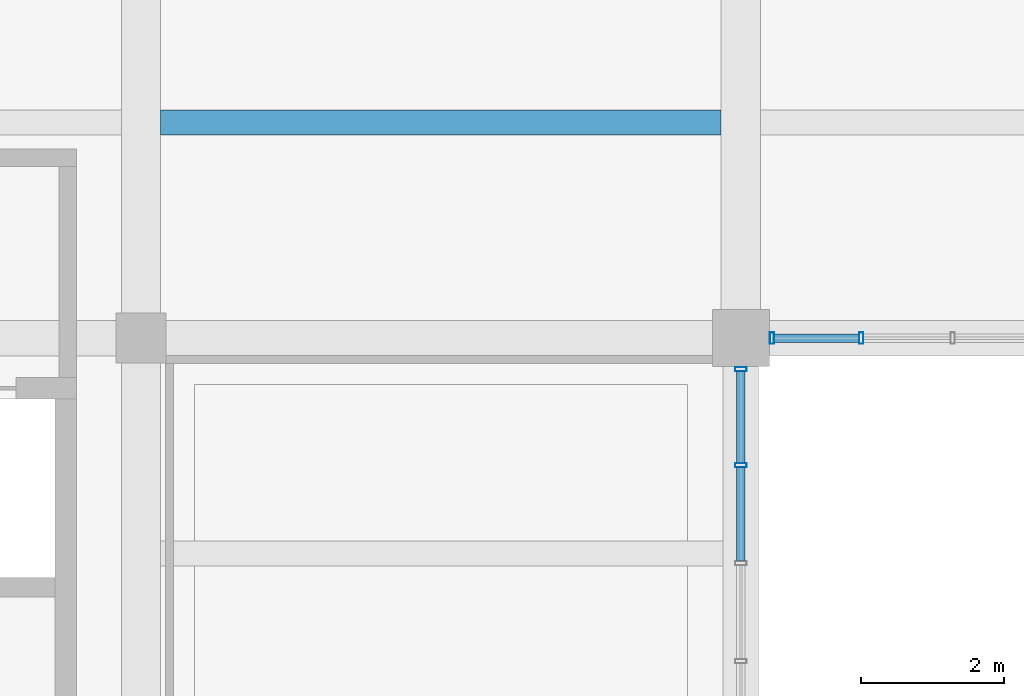
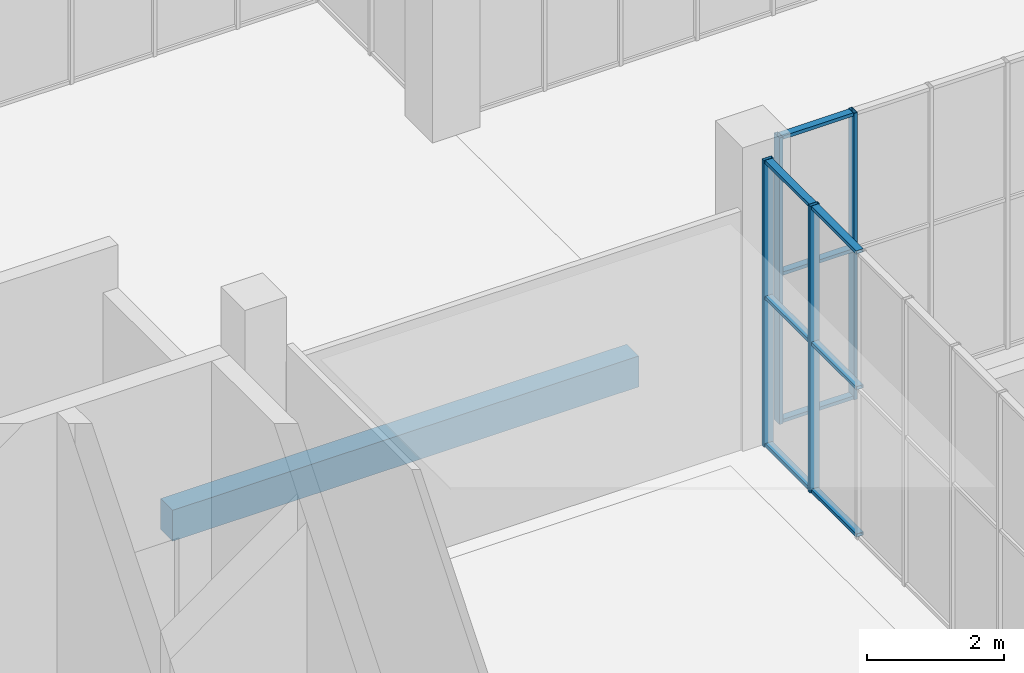
# One storey, part 36 of 132: 13 members, 1 beam, 2 elements without a shape of their own.
"""IFC4 building model written with IfcOpenShell, lengths in metres."""

from ifc_helpers import new_model, si_unit, direction, frame, origin, origin_2d, place, context, subcontext, project, spatial, rectangle, hollow_rectangle, extrude, material, material_profile, profile_set, type_object, element, aggregate, save


model = new_model("IFC4")

# Units and contexts
model_context = context("Model", 3, precision=1e-05, world=origin(), true_north=direction((0.0, 1.0)))
body_context = subcontext(model_context, "Body", "Model", "MODEL_VIEW")
ifc_project = project(units=[si_unit("LENGTHUNIT", "METRE"), si_unit("AREAUNIT", "SQUARE_METRE"), si_unit("VOLUMEUNIT", "CUBIC_METRE"), si_unit("PLANEANGLEUNIT", "RADIAN"), si_unit("MASSUNIT", "GRAM", prefix="KILO")], contexts=[model_context])

# Site, building, storey
site_placement = place(None, origin())
site = spatial("IfcSite", under=ifc_project, at=site_placement, CompositionType="ELEMENT")
building_placement = place(site_placement, origin())
building = spatial("IfcBuilding", under=site, at=building_placement, Name="Khurvash Pelagic Aquarium", CompositionType="ELEMENT")
storey_placement = place(building_placement, frame((0.0, 0.0, 5.39990234375)))
storey = spatial("IfcBuildingStorey", under=building, at=storey_placement, Name="L01", CompositionType="ELEMENT", Elevation=5.39990234375)

# Curtain wall, members
ifc_material_1 = material(Name="Anodised aluminium and low-E laminated glass", Category="aluminium")
curtain_wall_type_1 = type_object("IfcCurtainWallType", Name="CW-06", PredefinedType="USERDEFINED", material=ifc_material_1)
curtain_wall_1_placement = place(storey_placement, origin())
curtain_wall_1 = element("IfcCurtainWall", 1, at=curtain_wall_1_placement, inside=storey, type_object=curtain_wall_type_1, Name="L01 Facade Unitised Curtain Wall CW-06 0108", ObjectType="UNITISED CURTAIN WALL", PredefinedType="USERDEFINED")
ifc_material_2 = material(Name="Extruded aluminium AW-6063-T6", Category="aluminium")
ifc_material_profile_1 = material_profile(ifc_material_2, hollow_rectangle(XDim=0.06005859375, YDim=0.159912109375, WallThickness=0.00390625, at=origin_2d()), Name="CWM60X160X4")
ifc_profile_set_1 = profile_set([ifc_material_profile_1], Name="Extruded aluminium AW-6063-T6")
member_type_1 = type_object("IfcMemberType", Name="CM-02", PredefinedType="MULLION", material=ifc_profile_set_1)
member_1_placement = place(storey_placement, frame((109.199951171875, 18.921630859375, 0.0), z_axis=(0.0, 0.0, 1.0), x_axis=(0.0, 1.0, 0.0)))
member_1 = element("IfcMember", 2, at=member_1_placement, type_object=member_type_1, Name="CW-06 mullion 6", PredefinedType="MULLION", context=body_context, shape_type="SweptSolid", body=[
    extrude(hollow_rectangle(XDim=0.06005859375, YDim=0.159912109375, WallThickness=0.00390625, at=origin_2d()), origin(), (0.0, 0.0, 1.0), 5.10009765625),
])
member_2_placement = place(storey_placement, frame((109.199951171875, 20.264892578125, 0.0), z_axis=(0.0, 0.0, 1.0), x_axis=(0.0, 1.0, 0.0)))
member_2 = element("IfcMember", 3, at=member_2_placement, type_object=member_type_1, Name="CW-06 mullion 7", PredefinedType="MULLION", context=body_context, shape_type="SweptSolid", body=[
    extrude(hollow_rectangle(XDim=0.06005859375, YDim=0.159912109375, WallThickness=0.00390625, at=origin_2d()), origin(), (0.0, 0.0, 1.0), 5.10009765625),
])

curtain_wall_type_2 = type_object("IfcCurtainWallType", Name="CW-05", PredefinedType="USERDEFINED", material=ifc_material_1)
curtain_wall_2_placement = place(storey_placement, origin())
curtain_wall_2 = element("IfcCurtainWall", 4, at=curtain_wall_2_placement, inside=storey, type_object=curtain_wall_type_2, Name="L01 Facade Unitised Curtain Wall CW-05 0109", ObjectType="UNITISED CURTAIN WALL", PredefinedType="USERDEFINED")
member_3_placement = place(storey_placement, frame((109.635009765625, 20.699951171875, 0.0), z_axis=(0.0, 0.0, 1.0), x_axis=(1.0, 0.0, 0.0)))
member_3 = element("IfcMember", 5, at=member_3_placement, type_object=member_type_1, Name="CW-05 mullion 1", PredefinedType="MULLION", context=body_context, shape_type="SweptSolid", body=[
    extrude(hollow_rectangle(XDim=0.06005859375, YDim=0.159912109375, WallThickness=0.00390625, at=origin_2d()), origin(), (0.0, 0.0, 1.0), 5.10009765625),
])
member_4_placement = place(storey_placement, frame((110.88671875, 20.699951171875, 0.0), z_axis=(0.0, 0.0, 1.0), x_axis=(1.0, 0.0, 0.0)))
member_4 = element("IfcMember", 6, at=member_4_placement, type_object=member_type_1, Name="CW-05 mullion 2", PredefinedType="MULLION", context=body_context, shape_type="SweptSolid", body=[
    extrude(hollow_rectangle(XDim=0.06005859375, YDim=0.159912109375, WallThickness=0.00390625, at=origin_2d()), origin(), (0.0, 0.0, 1.0), 5.10009765625),
])

# Member
ifc_material_profile_2 = material_profile(ifc_material_2, hollow_rectangle(XDim=0.1201171875, YDim=0.06005859375, WallThickness=0.00390625, at=origin_2d()), Name="CWT120X60X4")
ifc_profile_set_2 = profile_set([ifc_material_profile_2], Name="Extruded aluminium AW-6063-T6")
member_type_2 = type_object("IfcMemberType", Name="CT-02", PredefinedType="USERDEFINED", material=ifc_profile_set_2)
member_5_placement = place(storey_placement, frame((109.199951171875, 17.578369140625, 0.030029296875), z_axis=(0.0, 1.0, 0.0), x_axis=(-1.0, 0.0, 0.0)))
member_5 = element("IfcMember", 7, at=member_5_placement, type_object=member_type_2, Name="CW-06 transom 5.1", ObjectType="TRANSOM", PredefinedType="USERDEFINED", context=body_context, shape_type="SweptSolid", body=[
    extrude(hollow_rectangle(XDim=0.1201171875, YDim=0.06005859375, WallThickness=0.00390625, at=origin_2d()), origin(), (0.0, 0.0, 1.0), 1.313232421875),
])

member_6_placement = place(storey_placement, frame((109.199951171875, 17.578369140625, 2.652099609375), z_axis=(0.0, 1.0, 0.0), x_axis=(-1.0, 0.0, 0.0)))
member_6 = element("IfcMember", 8, at=member_6_placement, type_object=member_type_2, Name="CW-06 transom 5.2", ObjectType="TRANSOM", PredefinedType="USERDEFINED", context=body_context, shape_type="SweptSolid", body=[
    extrude(hollow_rectangle(XDim=0.1201171875, YDim=0.06005859375, WallThickness=0.00390625, at=origin_2d()), origin(), (0.0, 0.0, 1.0), 1.313232421875),
])

member_7_placement = place(storey_placement, frame((109.199951171875, 17.578369140625, 5.070068359375), z_axis=(0.0, 1.0, 0.0), x_axis=(-1.0, 0.0, 0.0)))
member_7 = element("IfcMember", 9, at=member_7_placement, type_object=member_type_2, Name="CW-06 transom 5.3", ObjectType="TRANSOM", PredefinedType="USERDEFINED", context=body_context, shape_type="SweptSolid", body=[
    extrude(hollow_rectangle(XDim=0.1201171875, YDim=0.06005859375, WallThickness=0.00390625, at=origin_2d()), origin(), (0.0, 0.0, 1.0), 1.313232421875),
])

member_8_placement = place(storey_placement, frame((109.199951171875, 18.95166015625, 0.030029296875), z_axis=(0.0, 1.0, 0.0), x_axis=(-1.0, 0.0, 0.0)))
member_8 = element("IfcMember", 10, at=member_8_placement, type_object=member_type_2, Name="CW-06 transom 6.1", ObjectType="TRANSOM", PredefinedType="USERDEFINED", context=body_context, shape_type="SweptSolid", body=[
    extrude(hollow_rectangle(XDim=0.1201171875, YDim=0.06005859375, WallThickness=0.00390625, at=origin_2d()), origin(), (0.0, 0.0, 1.0), 1.283447265625),
])

member_9_placement = place(storey_placement, frame((109.199951171875, 18.95166015625, 2.652099609375), z_axis=(0.0, 1.0, 0.0), x_axis=(-1.0, 0.0, 0.0)))
member_9 = element("IfcMember", 11, at=member_9_placement, type_object=member_type_2, Name="CW-06 transom 6.2", ObjectType="TRANSOM", PredefinedType="USERDEFINED", context=body_context, shape_type="SweptSolid", body=[
    extrude(hollow_rectangle(XDim=0.1201171875, YDim=0.06005859375, WallThickness=0.00390625, at=origin_2d()), origin(), (0.0, 0.0, 1.0), 1.283447265625),
])

member_10_placement = place(storey_placement, frame((109.199951171875, 18.95166015625, 5.070068359375), z_axis=(0.0, 1.0, 0.0), x_axis=(-1.0, 0.0, 0.0)))
member_10 = element("IfcMember", 12, at=member_10_placement, type_object=member_type_2, Name="CW-06 transom 6.3", ObjectType="TRANSOM", PredefinedType="USERDEFINED", context=body_context, shape_type="SweptSolid", body=[
    extrude(hollow_rectangle(XDim=0.1201171875, YDim=0.06005859375, WallThickness=0.00390625, at=origin_2d()), origin(), (0.0, 0.0, 1.0), 1.283447265625),
])

aggregate(curtain_wall_1, [member_1, member_2, member_5, member_6, member_7, member_8, member_9, member_10])

member_11_placement = place(storey_placement, frame((109.6650390625, 20.699951171875, 0.030029296875), z_axis=(1.0, 0.0, 0.0), x_axis=(0.0, 1.0, 0.0)))
member_11 = element("IfcMember", 13, at=member_11_placement, type_object=member_type_2, Name="CW-05 transom 1.1", ObjectType="TRANSOM", PredefinedType="USERDEFINED", context=body_context, shape_type="SweptSolid", body=[
    extrude(hollow_rectangle(XDim=0.1201171875, YDim=0.06005859375, WallThickness=0.00390625, at=origin_2d()), origin(), (0.0, 0.0, 1.0), 1.191650390625),
])

member_12_placement = place(storey_placement, frame((109.6650390625, 20.699951171875, 2.652099609375), z_axis=(1.0, 0.0, 0.0), x_axis=(0.0, 1.0, 0.0)))
member_12 = element("IfcMember", 14, at=member_12_placement, type_object=member_type_2, Name="CW-05 transom 1.2", ObjectType="TRANSOM", PredefinedType="USERDEFINED", context=body_context, shape_type="SweptSolid", body=[
    extrude(hollow_rectangle(XDim=0.1201171875, YDim=0.06005859375, WallThickness=0.00390625, at=origin_2d()), origin(), (0.0, 0.0, 1.0), 1.191650390625),
])

member_13_placement = place(storey_placement, frame((109.6650390625, 20.699951171875, 5.070068359375), z_axis=(1.0, 0.0, 0.0), x_axis=(0.0, 1.0, 0.0)))
member_13 = element("IfcMember", 15, at=member_13_placement, type_object=member_type_2, Name="CW-05 transom 1.3", ObjectType="TRANSOM", PredefinedType="USERDEFINED", context=body_context, shape_type="SweptSolid", body=[
    extrude(hollow_rectangle(XDim=0.1201171875, YDim=0.06005859375, WallThickness=0.00390625, at=origin_2d()), origin(), (0.0, 0.0, 1.0), 1.191650390625),
])

aggregate(curtain_wall_2, [member_3, member_4, member_11, member_12, member_13])

# Beam
ifc_material_3 = material(Name="Concrete C35/45", Category="concrete")
ifc_material_profile_3 = material_profile(ifc_material_3, rectangle(XDim=0.35009765625, YDim=0.550048828125, at=origin_2d()), Name="RC350X550")
ifc_profile_set_3 = profile_set([ifc_material_profile_3], Name="Concrete C35/45")
beam_type = type_object("IfcBeamType", Name="JS-01", PredefinedType="JOIST", material=ifc_profile_set_3)
beam_placement = place(storey_placement, frame((101.074951171875, 23.717041015625, -0.5849609375), z_axis=(1.0, 0.0, 0.0), x_axis=(0.0, 1.0, 0.0)))
element("IfcBeam", 16, at=beam_placement, inside=storey, type_object=beam_type, Name="L01 Floor Joist JS-01 00544", PredefinedType="JOIST", context=body_context, shape_type="SweptSolid", body=[
    extrude(rectangle(XDim=0.35009765625, YDim=0.550048828125, at=origin_2d()), origin(), (0.0, 0.0, 1.0), 7.85009765625),
])

save(model, "model.ifc")
